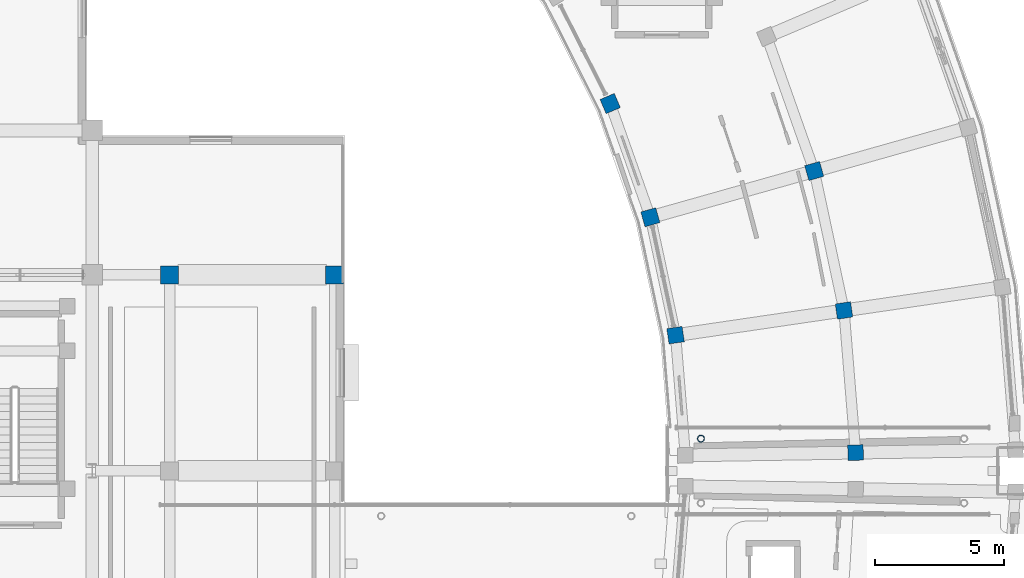
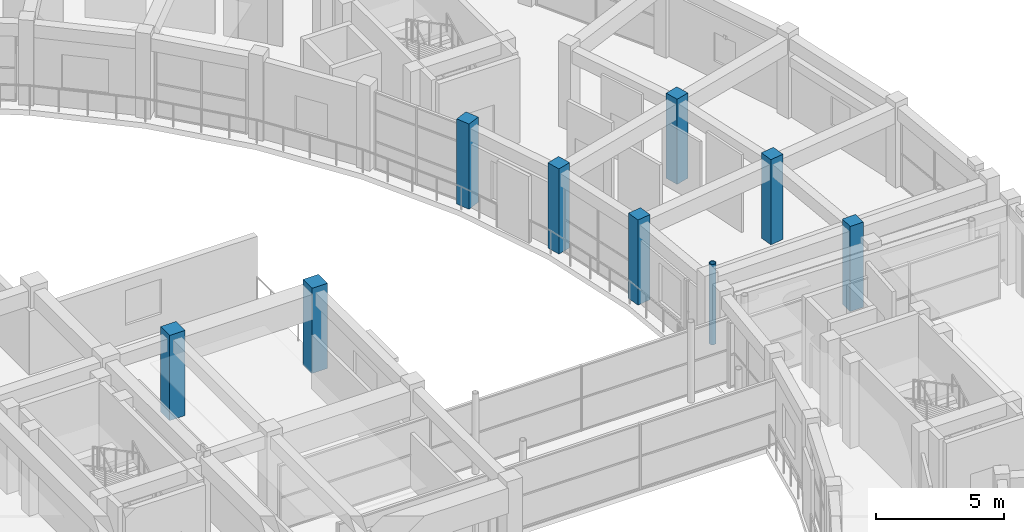
# One storey, part 7 of 70: 9 columns.
"""IFC4 building model written with IfcOpenShell, lengths in metres."""

from ifc_helpers import new_model, si_unit, direction, frame, origin, origin_2d, place, context, subcontext, project, spatial, rectangle, hollow_circle, extrude, material, material_profile, profile_set, type_object, element, save


model = new_model("IFC4")

# Units and contexts
model_context = context("Model", 3, precision=1e-05, world=origin(), true_north=direction((0.0, 1.0)))
body_context = subcontext(model_context, "Body", "Model", "MODEL_VIEW")
ifc_project = project(units=[si_unit("LENGTHUNIT", "METRE"), si_unit("AREAUNIT", "SQUARE_METRE"), si_unit("VOLUMEUNIT", "CUBIC_METRE"), si_unit("PLANEANGLEUNIT", "RADIAN"), si_unit("MASSUNIT", "GRAM", prefix="KILO")], contexts=[model_context])

# Site, building, storey
site_placement = place(None, origin())
site = spatial("IfcSite", under=ifc_project, at=site_placement, CompositionType="ELEMENT")
building_placement = place(site_placement, origin())
building = spatial("IfcBuilding", under=site, at=building_placement, Name="Saryqyr Civic Hall", CompositionType="ELEMENT")
storey_placement = place(building_placement, frame((0.0, 0.0, 13.199951171875)))
storey = spatial("IfcBuildingStorey", under=building, at=storey_placement, Name="L03", CompositionType="ELEMENT", Elevation=13.199951171875)

# Columns
ifc_material_1 = material(Name="Steel S355", Category="steel")
ifc_material_profile_1 = material_profile(ifc_material_1, hollow_circle(Radius=0.136474609375, WallThickness=0.01611328125, at=origin_2d()), Name="CHS 273x16")
ifc_profile_set_1 = profile_set([ifc_material_profile_1], Name="Steel S355")
column_type_1 = type_object("IfcColumnType", Name="STR-COL-CHS273-S355", PredefinedType="COLUMN", material=ifc_profile_set_1)
column_placement = place(storey_placement, frame((93.800048828125, 85.25, 0.0), z_axis=(0.0, 0.0, 1.0), x_axis=(1.0, 0.0, 0.0)))
element("IfcColumn", 1, at=column_placement, inside=storey, type_object=column_type_1, Name="Column BRCOL-BR-E-4-L03", PredefinedType="COLUMN", context=body_context, shape_type="SweptSolid", body=[
    extrude(hollow_circle(Radius=0.136474609375, WallThickness=0.01611328125, at=origin_2d()), origin(), (0.0, 0.0, 1.0), 3.820068359375),
])
ifc_material_2 = material(Name="Concrete C40/50", Category="concrete")
ifc_material_profile_2 = material_profile(ifc_material_2, rectangle(XDim=0.60009765625, YDim=0.60009765625, at=origin_2d()), Name="RC 600x600")
ifc_profile_set_2 = profile_set([ifc_material_profile_2], Name="Concrete C40/50")
column_type_2 = type_object("IfcColumnType", Name="STR-COL-RC600-C40", PredefinedType="COLUMN", material=ifc_profile_set_2)
for number, where, z_axis, x_axis, name in (
    (2, (99.794189453125, 84.709716796875, 0.0), (0.0, 0.0, 1.0), (0.999862544538, 0.016579868188, 0.0), "Column V6-COL-MID00-L03"),
    (3, (92.81591796875, 89.260009765625, 0.0), (0.0, 0.0, 1.0), (0.989399437751, 0.145219670077, 0.0), "Column V6-COL-IN01-L03"),
    (4, (99.345703125, 90.218994140625, 0.0), (0.0, 0.0, 1.0), (0.989399437751, 0.145219670077, 0.0), "Column V6-COL-MID01-L03"),
    (5, (91.839111328125, 93.832275390625, 0.0), (0.0, 0.0, 1.0), (0.962407846499, 0.271608425858, 0.0), "Column V6-COL-IN02-L03"),
    (6, (98.191162109375, 95.624755859375, 0.0), (0.0, 0.0, 1.0), (0.962407846499, 0.271608425858, 0.0), "Column V6-COL-MID02-L03"),
    (7, (90.281494140625, 98.240478515625, 0.0), (0.0, 0.0, 1.0), (0.919410138581, 0.393300136124, 0.0), "Column V6-COL-IN03-L03"),
):
    element("IfcColumn", number, at=place(storey_placement, frame(where, z_axis=z_axis, x_axis=x_axis)), inside=storey, type_object=column_type_2, Name=name, PredefinedType="COLUMN", context=body_context, shape_type="SweptSolid", body=[
        extrude(rectangle(XDim=0.60009765625, YDim=0.60009765625, at=origin_2d()), origin(), (0.0, 0.0, 1.0), 4.050048828125),
    ])
ifc_material_profile_3 = material_profile(ifc_material_2, rectangle(XDim=0.699951171875, YDim=0.699951171875, at=origin_2d()), Name="RC 700x700")
ifc_profile_set_3 = profile_set([ifc_material_profile_3], Name="Concrete C40/50")
column_type_3 = type_object("IfcColumnType", Name="STR-COL-RC700-C40", PredefinedType="COLUMN", material=ifc_profile_set_3)
for number, where, z_axis, x_axis, name in (
    (8, (73.199951171875, 91.60009765625, 0.0), (0.0, 0.0, 1.0), (1.0, 0.0, 0.0), "Column V1-COL-S3P06-L03"),
    (9, (79.60009765625, 91.60009765625, 0.0), (0.0, 0.0, 1.0), (1.0, 0.0, 0.0), "Column V1-COL-S1P06-L03"),
):
    element("IfcColumn", number, at=place(storey_placement, frame(where, z_axis=z_axis, x_axis=x_axis)), inside=storey, type_object=column_type_3, Name=name, PredefinedType="COLUMN", context=body_context, shape_type="SweptSolid", body=[
        extrude(rectangle(XDim=0.699951171875, YDim=0.699951171875, at=origin_2d()), origin(), (0.0, 0.0, 1.0), 4.050048828125),
    ])

save(model, "model.ifc")
